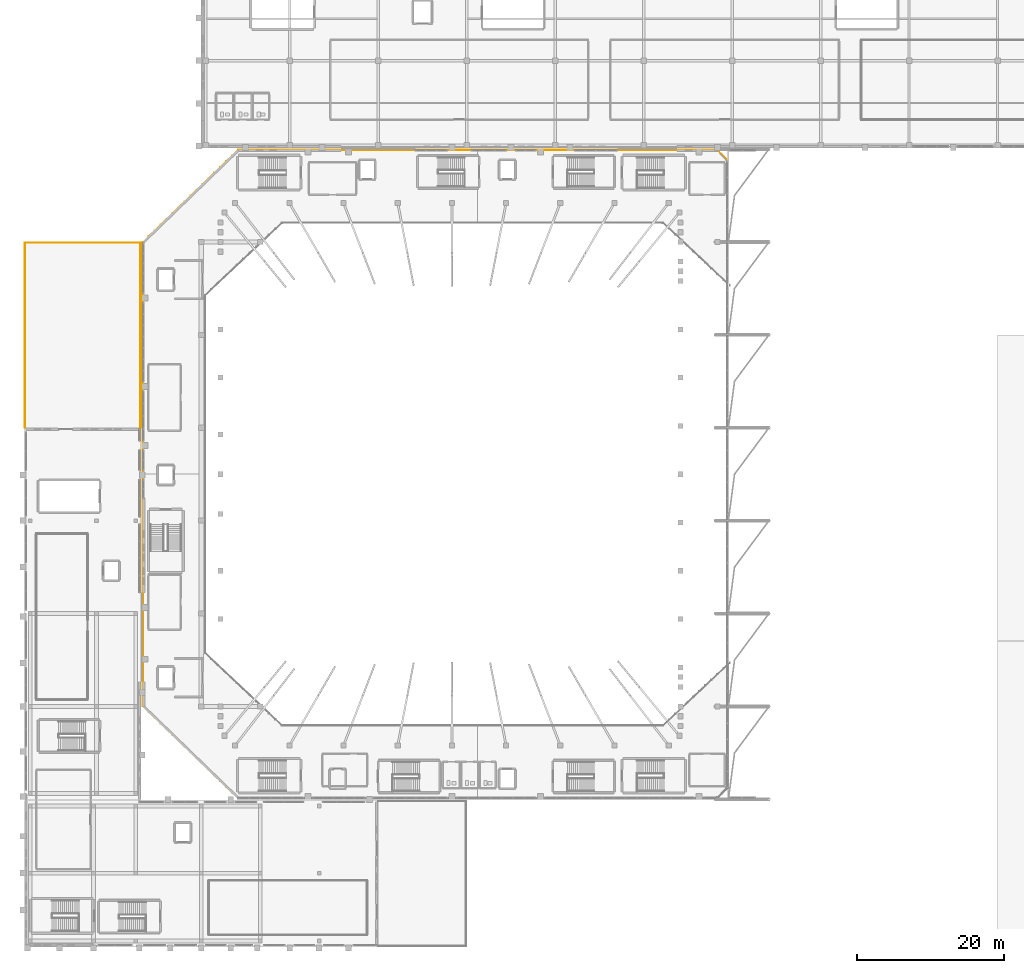
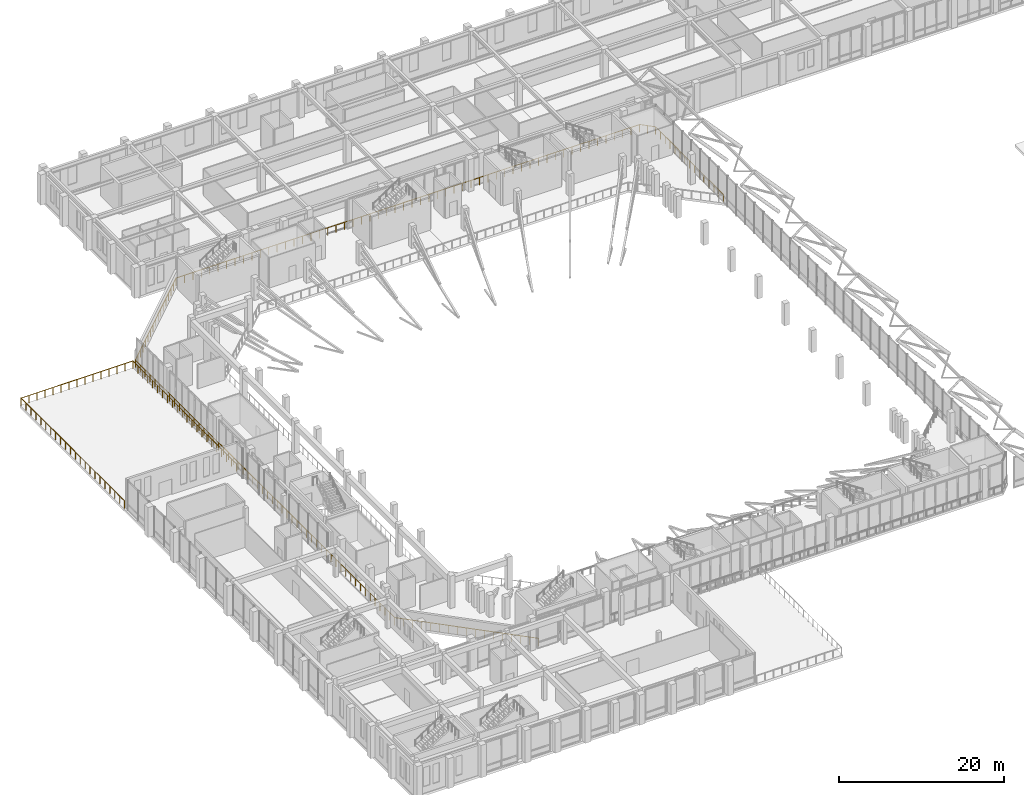
# One storey, part 75 of 79: 2 railings.
"""IFC4 building model written with IfcOpenShell, lengths in metres."""

from ifc_helpers import new_model, si_unit, derived_unit, direction, frame, origin, origin_2d, place, context, subcontext, project, spatial, circle, extrude, material, type_object, element, save


model = new_model("IFC4")

# Units and contexts
model_context = context("Model", 3, precision=1e-05, world=origin(), true_north=direction((0.0, 1.0)))
body_context = subcontext(model_context, "Body", "Model", "MODEL_VIEW")
ifc_project = project(units=[si_unit("LENGTHUNIT", "METRE"), si_unit("AREAUNIT", "SQUARE_METRE"), si_unit("VOLUMEUNIT", "CUBIC_METRE"), si_unit("PLANEANGLEUNIT", "RADIAN"), si_unit("MASSUNIT", "GRAM", prefix="KILO"), derived_unit("THERMALTRANSMITTANCEUNIT", [(si_unit("MASSUNIT", "GRAM", prefix="KILO"), 1), (si_unit("TIMEUNIT", "SECOND"), -3), (si_unit("THERMODYNAMICTEMPERATUREUNIT", "KELVIN"), -1)])], contexts=[model_context])

# Site, building, storey
site_placement = place(None, origin())
site = spatial("IfcSite", under=ifc_project, at=site_placement, CompositionType="ELEMENT")
building_placement = place(site_placement, origin())
building = spatial("IfcBuilding", under=site, at=building_placement, Name="Valcora Ridge Arena", CompositionType="ELEMENT")
storey_placement = place(building_placement, frame((0.0, 0.0, 16.199951171875)))
storey = spatial("IfcBuildingStorey", under=building, at=storey_placement, Name="L03", CompositionType="ELEMENT", Elevation=16.199951171875)

# Railings
ifc_material = material(Name="Galvanized painted steel ASTM A500 Grade B", Category="steel")
railing_type_1 = type_object("IfcRailingType", Name="TY-RAILING-GRD-TERR-1120", PredefinedType="GUARDRAIL", material=ifc_material)
railing_1_placement = place(storey_placement, frame((0.10009765625, 70.39990234375, 0.0)))
element("IfcRailing", 1, at=railing_1_placement, inside=storey, type_object=railing_type_1, Name="GRD-TERR-1120 RAL-TR-0002", PredefinedType="GUARDRAIL", context=body_context, shape_type="SweptSolid", body=[
    extrude(circle(Radius=0.02392578125, at=origin_2d()), frame((0.0, 0.0, 1.09619140625), z_axis=(0.0, 1.0, 0.0), x_axis=(-1.0, 0.0, 0.0)), (0.0, 0.0, 1.0), 25.10009765625),
    extrude(circle(Radius=0.02392578125, at=origin_2d()), frame((0.0, 25.10009765625, 1.09619140625), z_axis=(1.0, 0.0, 0.0), x_axis=(0.0, 1.0, 0.0)), (0.0, 0.0, 1.0), 15.64990234375),
    extrude(circle(Radius=0.02392578125, at=origin_2d()), frame((15.64990234375, 25.10009765625, 1.09619140625), z_axis=(0.0, -1.0, 0.0), x_axis=(1.0, 0.0, 0.0)), (0.0, 0.0, 1.0), 25.10009765625),
    extrude(circle(Radius=0.02099609375, at=origin_2d()), origin(), (0.0, 0.0, 1.0), 1.072021484375),
    extrude(circle(Radius=0.02099609375, at=origin_2d()), frame((0.0, 1.1953125, 0.0)), (0.0, 0.0, 1.0), 1.072021484375),
    extrude(circle(Radius=0.02099609375, at=origin_2d()), frame((0.0, 2.390380859375, 0.0)), (0.0, 0.0, 1.0), 1.072021484375),
    extrude(circle(Radius=0.02099609375, at=origin_2d()), frame((0.0, 3.585693359375, 0.0)), (0.0, 0.0, 1.0), 1.072021484375),
    extrude(circle(Radius=0.02099609375, at=origin_2d()), frame((0.0, 4.781005859375, 0.0)), (0.0, 0.0, 1.0), 1.072021484375),
    extrude(circle(Radius=0.02099609375, at=origin_2d()), frame((0.0, 5.976318359375, 0.0)), (0.0, 0.0, 1.0), 1.072021484375),
    extrude(circle(Radius=0.02099609375, at=origin_2d()), frame((0.0, 7.17138671875, 0.0)), (0.0, 0.0, 1.0), 1.072021484375),
    extrude(circle(Radius=0.02099609375, at=origin_2d()), frame((0.0, 8.36669921875, 0.0)), (0.0, 0.0, 1.0), 1.072021484375),
    extrude(circle(Radius=0.02099609375, at=origin_2d()), frame((0.0, 9.56201171875, 0.0)), (0.0, 0.0, 1.0), 1.072021484375),
    extrude(circle(Radius=0.02099609375, at=origin_2d()), frame((0.0, 10.757080078125, 0.0)), (0.0, 0.0, 1.0), 1.072021484375),
    extrude(circle(Radius=0.02099609375, at=origin_2d()), frame((0.0, 11.952392578125, 0.0)), (0.0, 0.0, 1.0), 1.072021484375),
    extrude(circle(Radius=0.02099609375, at=origin_2d()), frame((0.0, 13.147705078125, 0.0)), (0.0, 0.0, 1.0), 1.072021484375),
    extrude(circle(Radius=0.02099609375, at=origin_2d()), frame((0.0, 14.343017578125, 0.0)), (0.0, 0.0, 1.0), 1.072021484375),
    extrude(circle(Radius=0.02099609375, at=origin_2d()), frame((0.0, 15.5380859375, 0.0)), (0.0, 0.0, 1.0), 1.072021484375),
    extrude(circle(Radius=0.02099609375, at=origin_2d()), frame((0.0, 16.7333984375, 0.0)), (0.0, 0.0, 1.0), 1.072021484375),
    extrude(circle(Radius=0.02099609375, at=origin_2d()), frame((0.0, 17.9287109375, 0.0)), (0.0, 0.0, 1.0), 1.072021484375),
    extrude(circle(Radius=0.02099609375, at=origin_2d()), frame((0.0, 19.123779296875, 0.0)), (0.0, 0.0, 1.0), 1.072021484375),
    extrude(circle(Radius=0.02099609375, at=origin_2d()), frame((0.0, 20.319091796875, 0.0)), (0.0, 0.0, 1.0), 1.072021484375),
    extrude(circle(Radius=0.02099609375, at=origin_2d()), frame((0.0, 21.514404296875, 0.0)), (0.0, 0.0, 1.0), 1.072021484375),
    extrude(circle(Radius=0.02099609375, at=origin_2d()), frame((0.0, 22.709716796875, 0.0)), (0.0, 0.0, 1.0), 1.072021484375),
    extrude(circle(Radius=0.02099609375, at=origin_2d()), frame((0.0, 23.90478515625, 0.0)), (0.0, 0.0, 1.0), 1.072021484375),
    extrude(circle(Radius=0.02099609375, at=origin_2d()), frame((0.0, 25.10009765625, 0.0)), (0.0, 0.0, 1.0), 1.072021484375),
    extrude(circle(Radius=0.02099609375, at=origin_2d()), frame((1.117919921875, 25.10009765625, 0.0)), (0.0, 0.0, 1.0), 1.072021484375),
    extrude(circle(Radius=0.02099609375, at=origin_2d()), frame((2.235595703125, 25.10009765625, 0.0)), (0.0, 0.0, 1.0), 1.072021484375),
    extrude(circle(Radius=0.02099609375, at=origin_2d()), frame((3.353515625, 25.10009765625, 0.0)), (0.0, 0.0, 1.0), 1.072021484375),
    extrude(circle(Radius=0.02099609375, at=origin_2d()), frame((4.471435546875, 25.10009765625, 0.0)), (0.0, 0.0, 1.0), 1.072021484375),
    extrude(circle(Radius=0.02099609375, at=origin_2d()), frame((5.58935546875, 25.10009765625, 0.0)), (0.0, 0.0, 1.0), 1.072021484375),
    extrude(circle(Radius=0.02099609375, at=origin_2d()), frame((6.70703125, 25.10009765625, 0.0)), (0.0, 0.0, 1.0), 1.072021484375),
    extrude(circle(Radius=0.02099609375, at=origin_2d()), frame((7.824951171875, 25.10009765625, 0.0)), (0.0, 0.0, 1.0), 1.072021484375),
    extrude(circle(Radius=0.02099609375, at=origin_2d()), frame((8.94287109375, 25.10009765625, 0.0)), (0.0, 0.0, 1.0), 1.072021484375),
    extrude(circle(Radius=0.02099609375, at=origin_2d()), frame((10.060546875, 25.10009765625, 0.0)), (0.0, 0.0, 1.0), 1.072021484375),
    extrude(circle(Radius=0.02099609375, at=origin_2d()), frame((11.178466796875, 25.10009765625, 0.0)), (0.0, 0.0, 1.0), 1.072021484375),
    extrude(circle(Radius=0.02099609375, at=origin_2d()), frame((12.29638671875, 25.10009765625, 0.0)), (0.0, 0.0, 1.0), 1.072021484375),
    extrude(circle(Radius=0.02099609375, at=origin_2d()), frame((13.414306640625, 25.10009765625, 0.0)), (0.0, 0.0, 1.0), 1.072021484375),
    extrude(circle(Radius=0.02099609375, at=origin_2d()), frame((14.531982421875, 25.10009765625, 0.0)), (0.0, 0.0, 1.0), 1.072021484375),
    extrude(circle(Radius=0.02099609375, at=origin_2d()), frame((15.64990234375, 25.10009765625, 0.0)), (0.0, 0.0, 1.0), 1.072021484375),
    extrude(circle(Radius=0.02099609375, at=origin_2d()), frame((15.64990234375, 23.90478515625, 0.0)), (0.0, 0.0, 1.0), 1.072021484375),
    extrude(circle(Radius=0.02099609375, at=origin_2d()), frame((15.64990234375, 22.709716796875, 0.0)), (0.0, 0.0, 1.0), 1.072021484375),
    extrude(circle(Radius=0.02099609375, at=origin_2d()), frame((15.64990234375, 21.514404296875, 0.0)), (0.0, 0.0, 1.0), 1.072021484375),
    extrude(circle(Radius=0.02099609375, at=origin_2d()), frame((15.64990234375, 20.319091796875, 0.0)), (0.0, 0.0, 1.0), 1.072021484375),
    extrude(circle(Radius=0.02099609375, at=origin_2d()), frame((15.64990234375, 19.123779296875, 0.0)), (0.0, 0.0, 1.0), 1.072021484375),
    extrude(circle(Radius=0.02099609375, at=origin_2d()), frame((15.64990234375, 17.9287109375, 0.0)), (0.0, 0.0, 1.0), 1.072021484375),
    extrude(circle(Radius=0.02099609375, at=origin_2d()), frame((15.64990234375, 16.7333984375, 0.0)), (0.0, 0.0, 1.0), 1.072021484375),
    extrude(circle(Radius=0.02099609375, at=origin_2d()), frame((15.64990234375, 15.5380859375, 0.0)), (0.0, 0.0, 1.0), 1.072021484375),
    extrude(circle(Radius=0.02099609375, at=origin_2d()), frame((15.64990234375, 14.343017578125, 0.0)), (0.0, 0.0, 1.0), 1.072021484375),
    extrude(circle(Radius=0.02099609375, at=origin_2d()), frame((15.64990234375, 13.147705078125, 0.0)), (0.0, 0.0, 1.0), 1.072021484375),
    extrude(circle(Radius=0.02099609375, at=origin_2d()), frame((15.64990234375, 11.952392578125, 0.0)), (0.0, 0.0, 1.0), 1.072021484375),
    extrude(circle(Radius=0.02099609375, at=origin_2d()), frame((15.64990234375, 10.757080078125, 0.0)), (0.0, 0.0, 1.0), 1.072021484375),
    extrude(circle(Radius=0.02099609375, at=origin_2d()), frame((15.64990234375, 9.56201171875, 0.0)), (0.0, 0.0, 1.0), 1.072021484375),
    extrude(circle(Radius=0.02099609375, at=origin_2d()), frame((15.64990234375, 8.36669921875, 0.0)), (0.0, 0.0, 1.0), 1.072021484375),
    extrude(circle(Radius=0.02099609375, at=origin_2d()), frame((15.64990234375, 7.17138671875, 0.0)), (0.0, 0.0, 1.0), 1.072021484375),
    extrude(circle(Radius=0.02099609375, at=origin_2d()), frame((15.64990234375, 5.976318359375, 0.0)), (0.0, 0.0, 1.0), 1.072021484375),
    extrude(circle(Radius=0.02099609375, at=origin_2d()), frame((15.64990234375, 4.781005859375, 0.0)), (0.0, 0.0, 1.0), 1.072021484375),
    extrude(circle(Radius=0.02099609375, at=origin_2d()), frame((15.64990234375, 3.585693359375, 0.0)), (0.0, 0.0, 1.0), 1.072021484375),
    extrude(circle(Radius=0.02099609375, at=origin_2d()), frame((15.64990234375, 2.390380859375, 0.0)), (0.0, 0.0, 1.0), 1.072021484375),
    extrude(circle(Radius=0.02099609375, at=origin_2d()), frame((15.64990234375, 1.1953125, 0.0)), (0.0, 0.0, 1.0), 1.072021484375),
    extrude(circle(Radius=0.02099609375, at=origin_2d()), frame((15.64990234375, 0.0, 0.0)), (0.0, 0.0, 1.0), 1.072021484375),
])
railing_type_2 = type_object("IfcRailingType", Name="TY-RAILING-GRD-VOID-1120", PredefinedType="GUARDRAIL", material=ifc_material)
railing_2_placement = place(storey_placement, frame((29.048583984375, 20.1201171875, 0.0)))
element("IfcRailing", 2, at=railing_2_placement, inside=storey, type_object=railing_type_2, Name="GRD-VOID-1120 RAL-DK-0009", PredefinedType="GUARDRAIL", context=body_context, shape_type="SweptSolid", body=[
    extrude(circle(Radius=0.02392578125, at=origin_2d()), frame((0.0, 0.0, 1.09619140625), z_axis=(-0.718065068839, 0.695975974379, 0.0), x_axis=(-0.695975974379, -0.718065068839, 0.0)), (0.0, 0.0, 1.0), 18.004638671875),
    extrude(circle(Radius=0.02392578125, at=origin_2d()), frame((-12.928466796875, 12.53076171875, 1.09619140625), z_axis=(0.0, 1.0, 0.0), x_axis=(-1.0, 0.0, 0.0)), (0.0, 0.0, 1.0), 62.8984375),
    extrude(circle(Radius=0.02392578125, at=origin_2d()), frame((-12.928466796875, 75.42919921875, 1.09619140625), z_axis=(0.718065068839, 0.695975974379, 0.0), x_axis=(-0.695975974379, 0.718065068839, 0.0)), (0.0, 0.0, 1.0), 18.004638671875),
    extrude(circle(Radius=0.02392578125, at=origin_2d()), frame((0.0, 87.9599609375, 1.09619140625), z_axis=(1.0, 0.0, 0.0), x_axis=(0.0, 1.0, 0.0)), (0.0, 0.0, 1.0), 64.90283203125),
    extrude(circle(Radius=0.02392578125, at=origin_2d()), frame((64.90283203125, 87.9599609375, 1.09619140625), z_axis=(0.718004457824, -0.696038503637, 0.0), x_axis=(0.696038503637, 0.718004457824, 0.0)), (0.0, 0.0, 1.0), 1.989501953125),
    extrude(circle(Radius=0.02392578125, at=origin_2d()), frame((66.331298828125, 86.5751953125, 1.09619140625), z_axis=(0.0, -1.0, 0.0), x_axis=(1.0, 0.0, 0.0)), (0.0, 0.0, 1.0), 16.525390625),
    extrude(circle(Radius=0.02099609375, at=origin_2d()), origin(), (0.0, 0.0, 1.0), 1.072021484375),
    extrude(circle(Radius=0.02099609375, at=origin_2d()), frame((-0.80810546875, 0.783203125, 0.0)), (0.0, 0.0, 1.0), 1.072021484375),
    extrude(circle(Radius=0.02099609375, at=origin_2d()), frame((-1.615966796875, 1.56640625, 0.0)), (0.0, 0.0, 1.0), 1.072021484375),
    extrude(circle(Radius=0.02099609375, at=origin_2d()), frame((-2.424072265625, 2.349609375, 0.0)), (0.0, 0.0, 1.0), 1.072021484375),
    extrude(circle(Radius=0.02099609375, at=origin_2d()), frame((-3.232177734375, 3.1328125, 0.0)), (0.0, 0.0, 1.0), 1.072021484375),
    extrude(circle(Radius=0.02099609375, at=origin_2d()), frame((-4.0400390625, 3.915771484375, 0.0)), (0.0, 0.0, 1.0), 1.072021484375),
    extrude(circle(Radius=0.02099609375, at=origin_2d()), frame((-4.84814453125, 4.698974609375, 0.0)), (0.0, 0.0, 1.0), 1.072021484375),
    extrude(circle(Radius=0.02099609375, at=origin_2d()), frame((-5.65625, 5.482177734375, 0.0)), (0.0, 0.0, 1.0), 1.072021484375),
    extrude(circle(Radius=0.02099609375, at=origin_2d()), frame((-6.46435546875, 6.265380859375, 0.0)), (0.0, 0.0, 1.0), 1.072021484375),
    extrude(circle(Radius=0.02099609375, at=origin_2d()), frame((-7.272216796875, 7.048583984375, 0.0)), (0.0, 0.0, 1.0), 1.072021484375),
    extrude(circle(Radius=0.02099609375, at=origin_2d()), frame((-8.080322265625, 7.831787109375, 0.0)), (0.0, 0.0, 1.0), 1.072021484375),
    extrude(circle(Radius=0.02099609375, at=origin_2d()), frame((-8.888427734375, 8.614990234375, 0.0)), (0.0, 0.0, 1.0), 1.072021484375),
    extrude(circle(Radius=0.02099609375, at=origin_2d()), frame((-9.6962890625, 9.39794921875, 0.0)), (0.0, 0.0, 1.0), 1.072021484375),
    extrude(circle(Radius=0.02099609375, at=origin_2d()), frame((-10.50439453125, 10.18115234375, 0.0)), (0.0, 0.0, 1.0), 1.072021484375),
    extrude(circle(Radius=0.02099609375, at=origin_2d()), frame((-11.3125, 10.96435546875, 0.0)), (0.0, 0.0, 1.0), 1.072021484375),
    extrude(circle(Radius=0.02099609375, at=origin_2d()), frame((-12.120361328125, 11.74755859375, 0.0)), (0.0, 0.0, 1.0), 1.072021484375),
    extrude(circle(Radius=0.02099609375, at=origin_2d()), frame((-12.928466796875, 12.53076171875, 0.0)), (0.0, 0.0, 1.0), 1.072021484375),
    extrude(circle(Radius=0.02099609375, at=origin_2d()), frame((-12.928466796875, 13.717529296875, 0.0)), (0.0, 0.0, 1.0), 1.072021484375),
    extrude(circle(Radius=0.02099609375, at=origin_2d()), frame((-12.928466796875, 14.904296875, 0.0)), (0.0, 0.0, 1.0), 1.072021484375),
    extrude(circle(Radius=0.02099609375, at=origin_2d()), frame((-12.928466796875, 16.091064453125, 0.0)), (0.0, 0.0, 1.0), 1.072021484375),
    extrude(circle(Radius=0.02099609375, at=origin_2d()), frame((-12.928466796875, 17.27783203125, 0.0)), (0.0, 0.0, 1.0), 1.072021484375),
    extrude(circle(Radius=0.02099609375, at=origin_2d()), frame((-12.928466796875, 18.464599609375, 0.0)), (0.0, 0.0, 1.0), 1.072021484375),
    extrude(circle(Radius=0.02099609375, at=origin_2d()), frame((-12.928466796875, 19.6513671875, 0.0)), (0.0, 0.0, 1.0), 1.072021484375),
    extrude(circle(Radius=0.02099609375, at=origin_2d()), frame((-12.928466796875, 20.838134765625, 0.0)), (0.0, 0.0, 1.0), 1.072021484375),
    extrude(circle(Radius=0.02099609375, at=origin_2d()), frame((-12.928466796875, 22.02490234375, 0.0)), (0.0, 0.0, 1.0), 1.072021484375),
    extrude(circle(Radius=0.02099609375, at=origin_2d()), frame((-12.928466796875, 23.211669921875, 0.0)), (0.0, 0.0, 1.0), 1.072021484375),
    extrude(circle(Radius=0.02099609375, at=origin_2d()), frame((-12.928466796875, 24.3984375, 0.0)), (0.0, 0.0, 1.0), 1.072021484375),
    extrude(circle(Radius=0.02099609375, at=origin_2d()), frame((-12.928466796875, 25.585205078125, 0.0)), (0.0, 0.0, 1.0), 1.072021484375),
    extrude(circle(Radius=0.02099609375, at=origin_2d()), frame((-12.928466796875, 26.77197265625, 0.0)), (0.0, 0.0, 1.0), 1.072021484375),
    extrude(circle(Radius=0.02099609375, at=origin_2d()), frame((-12.928466796875, 27.958740234375, 0.0)), (0.0, 0.0, 1.0), 1.072021484375),
    extrude(circle(Radius=0.02099609375, at=origin_2d()), frame((-12.928466796875, 29.1455078125, 0.0)), (0.0, 0.0, 1.0), 1.072021484375),
    extrude(circle(Radius=0.02099609375, at=origin_2d()), frame((-12.928466796875, 30.332275390625, 0.0)), (0.0, 0.0, 1.0), 1.072021484375),
    extrude(circle(Radius=0.02099609375, at=origin_2d()), frame((-12.928466796875, 31.51904296875, 0.0)), (0.0, 0.0, 1.0), 1.072021484375),
    extrude(circle(Radius=0.02099609375, at=origin_2d()), frame((-12.928466796875, 32.705810546875, 0.0)), (0.0, 0.0, 1.0), 1.072021484375),
    extrude(circle(Radius=0.02099609375, at=origin_2d()), frame((-12.928466796875, 33.892578125, 0.0)), (0.0, 0.0, 1.0), 1.072021484375),
    extrude(circle(Radius=0.02099609375, at=origin_2d()), frame((-12.928466796875, 35.079345703125, 0.0)), (0.0, 0.0, 1.0), 1.072021484375),
    extrude(circle(Radius=0.02099609375, at=origin_2d()), frame((-12.928466796875, 36.26611328125, 0.0)), (0.0, 0.0, 1.0), 1.072021484375),
    extrude(circle(Radius=0.02099609375, at=origin_2d()), frame((-12.928466796875, 37.452880859375, 0.0)), (0.0, 0.0, 1.0), 1.072021484375),
    extrude(circle(Radius=0.02099609375, at=origin_2d()), frame((-12.928466796875, 38.6396484375, 0.0)), (0.0, 0.0, 1.0), 1.072021484375),
    extrude(circle(Radius=0.02099609375, at=origin_2d()), frame((-12.928466796875, 39.826416015625, 0.0)), (0.0, 0.0, 1.0), 1.072021484375),
    extrude(circle(Radius=0.02099609375, at=origin_2d()), frame((-12.928466796875, 41.01318359375, 0.0)), (0.0, 0.0, 1.0), 1.072021484375),
    extrude(circle(Radius=0.02099609375, at=origin_2d()), frame((-12.928466796875, 42.199951171875, 0.0)), (0.0, 0.0, 1.0), 1.072021484375),
    extrude(circle(Radius=0.02099609375, at=origin_2d()), frame((-12.928466796875, 43.38671875, 0.0)), (0.0, 0.0, 1.0), 1.072021484375),
    extrude(circle(Radius=0.02099609375, at=origin_2d()), frame((-12.928466796875, 44.5732421875, 0.0)), (0.0, 0.0, 1.0), 1.072021484375),
    extrude(circle(Radius=0.02099609375, at=origin_2d()), frame((-12.928466796875, 45.760009765625, 0.0)), (0.0, 0.0, 1.0), 1.072021484375),
    extrude(circle(Radius=0.02099609375, at=origin_2d()), frame((-12.928466796875, 46.94677734375, 0.0)), (0.0, 0.0, 1.0), 1.072021484375),
    extrude(circle(Radius=0.02099609375, at=origin_2d()), frame((-12.928466796875, 48.133544921875, 0.0)), (0.0, 0.0, 1.0), 1.072021484375),
    extrude(circle(Radius=0.02099609375, at=origin_2d()), frame((-12.928466796875, 49.3203125, 0.0)), (0.0, 0.0, 1.0), 1.072021484375),
    extrude(circle(Radius=0.02099609375, at=origin_2d()), frame((-12.928466796875, 50.507080078125, 0.0)), (0.0, 0.0, 1.0), 1.072021484375),
    extrude(circle(Radius=0.02099609375, at=origin_2d()), frame((-12.928466796875, 51.69384765625, 0.0)), (0.0, 0.0, 1.0), 1.072021484375),
    extrude(circle(Radius=0.02099609375, at=origin_2d()), frame((-12.928466796875, 52.880615234375, 0.0)), (0.0, 0.0, 1.0), 1.072021484375),
    extrude(circle(Radius=0.02099609375, at=origin_2d()), frame((-12.928466796875, 54.0673828125, 0.0)), (0.0, 0.0, 1.0), 1.072021484375),
    extrude(circle(Radius=0.02099609375, at=origin_2d()), frame((-12.928466796875, 55.254150390625, 0.0)), (0.0, 0.0, 1.0), 1.072021484375),
    extrude(circle(Radius=0.02099609375, at=origin_2d()), frame((-12.928466796875, 56.44091796875, 0.0)), (0.0, 0.0, 1.0), 1.072021484375),
    extrude(circle(Radius=0.02099609375, at=origin_2d()), frame((-12.928466796875, 57.627685546875, 0.0)), (0.0, 0.0, 1.0), 1.072021484375),
    extrude(circle(Radius=0.02099609375, at=origin_2d()), frame((-12.928466796875, 58.814453125, 0.0)), (0.0, 0.0, 1.0), 1.072021484375),
    extrude(circle(Radius=0.02099609375, at=origin_2d()), frame((-12.928466796875, 60.001220703125, 0.0)), (0.0, 0.0, 1.0), 1.072021484375),
    extrude(circle(Radius=0.02099609375, at=origin_2d()), frame((-12.928466796875, 61.18798828125, 0.0)), (0.0, 0.0, 1.0), 1.072021484375),
    extrude(circle(Radius=0.02099609375, at=origin_2d()), frame((-12.928466796875, 62.374755859375, 0.0)), (0.0, 0.0, 1.0), 1.072021484375),
    extrude(circle(Radius=0.02099609375, at=origin_2d()), frame((-12.928466796875, 63.5615234375, 0.0)), (0.0, 0.0, 1.0), 1.072021484375),
    extrude(circle(Radius=0.02099609375, at=origin_2d()), frame((-12.928466796875, 64.748291015625, 0.0)), (0.0, 0.0, 1.0), 1.072021484375),
    extrude(circle(Radius=0.02099609375, at=origin_2d()), frame((-12.928466796875, 65.93505859375, 0.0)), (0.0, 0.0, 1.0), 1.072021484375),
    extrude(circle(Radius=0.02099609375, at=origin_2d()), frame((-12.928466796875, 67.121826171875, 0.0)), (0.0, 0.0, 1.0), 1.072021484375),
    extrude(circle(Radius=0.02099609375, at=origin_2d()), frame((-12.928466796875, 68.30859375, 0.0)), (0.0, 0.0, 1.0), 1.072021484375),
    extrude(circle(Radius=0.02099609375, at=origin_2d()), frame((-12.928466796875, 69.495361328125, 0.0)), (0.0, 0.0, 1.0), 1.072021484375),
    extrude(circle(Radius=0.02099609375, at=origin_2d()), frame((-12.928466796875, 70.68212890625, 0.0)), (0.0, 0.0, 1.0), 1.072021484375),
    extrude(circle(Radius=0.02099609375, at=origin_2d()), frame((-12.928466796875, 71.868896484375, 0.0)), (0.0, 0.0, 1.0), 1.072021484375),
    extrude(circle(Radius=0.02099609375, at=origin_2d()), frame((-12.928466796875, 73.0556640625, 0.0)), (0.0, 0.0, 1.0), 1.072021484375),
    extrude(circle(Radius=0.02099609375, at=origin_2d()), frame((-12.928466796875, 74.242431640625, 0.0)), (0.0, 0.0, 1.0), 1.072021484375),
    extrude(circle(Radius=0.02099609375, at=origin_2d()), frame((-12.928466796875, 75.42919921875, 0.0)), (0.0, 0.0, 1.0), 1.072021484375),
    extrude(circle(Radius=0.02099609375, at=origin_2d()), frame((-12.120361328125, 76.21240234375, 0.0)), (0.0, 0.0, 1.0), 1.072021484375),
    extrude(circle(Radius=0.02099609375, at=origin_2d()), frame((-11.3125, 76.99560546875, 0.0)), (0.0, 0.0, 1.0), 1.072021484375),
    extrude(circle(Radius=0.02099609375, at=origin_2d()), frame((-10.50439453125, 77.77880859375, 0.0)), (0.0, 0.0, 1.0), 1.072021484375),
    extrude(circle(Radius=0.02099609375, at=origin_2d()), frame((-9.6962890625, 78.56201171875, 0.0)), (0.0, 0.0, 1.0), 1.072021484375),
    extrude(circle(Radius=0.02099609375, at=origin_2d()), frame((-8.888427734375, 79.344970703125, 0.0)), (0.0, 0.0, 1.0), 1.072021484375),
    extrude(circle(Radius=0.02099609375, at=origin_2d()), frame((-8.080322265625, 80.128173828125, 0.0)), (0.0, 0.0, 1.0), 1.072021484375),
    extrude(circle(Radius=0.02099609375, at=origin_2d()), frame((-7.272216796875, 80.911376953125, 0.0)), (0.0, 0.0, 1.0), 1.072021484375),
    extrude(circle(Radius=0.02099609375, at=origin_2d()), frame((-6.46435546875, 81.694580078125, 0.0)), (0.0, 0.0, 1.0), 1.072021484375),
    extrude(circle(Radius=0.02099609375, at=origin_2d()), frame((-5.65625, 82.477783203125, 0.0)), (0.0, 0.0, 1.0), 1.072021484375),
    extrude(circle(Radius=0.02099609375, at=origin_2d()), frame((-4.84814453125, 83.260986328125, 0.0)), (0.0, 0.0, 1.0), 1.072021484375),
    extrude(circle(Radius=0.02099609375, at=origin_2d()), frame((-4.0400390625, 84.044189453125, 0.0)), (0.0, 0.0, 1.0), 1.072021484375),
    extrude(circle(Radius=0.02099609375, at=origin_2d()), frame((-3.232177734375, 84.8271484375, 0.0)), (0.0, 0.0, 1.0), 1.072021484375),
    extrude(circle(Radius=0.02099609375, at=origin_2d()), frame((-2.424072265625, 85.6103515625, 0.0)), (0.0, 0.0, 1.0), 1.072021484375),
    extrude(circle(Radius=0.02099609375, at=origin_2d()), frame((-1.615966796875, 86.3935546875, 0.0)), (0.0, 0.0, 1.0), 1.072021484375),
    extrude(circle(Radius=0.02099609375, at=origin_2d()), frame((-0.80810546875, 87.1767578125, 0.0)), (0.0, 0.0, 1.0), 1.072021484375),
    extrude(circle(Radius=0.02099609375, at=origin_2d()), frame((0.0, 87.9599609375, 0.0)), (0.0, 0.0, 1.0), 1.072021484375),
    extrude(circle(Radius=0.02099609375, at=origin_2d()), frame((1.179931640625, 87.9599609375, 0.0)), (0.0, 0.0, 1.0), 1.072021484375),
    extrude(circle(Radius=0.02099609375, at=origin_2d()), frame((2.360107421875, 87.9599609375, 0.0)), (0.0, 0.0, 1.0), 1.072021484375),
    extrude(circle(Radius=0.02099609375, at=origin_2d()), frame((3.5400390625, 87.9599609375, 0.0)), (0.0, 0.0, 1.0), 1.072021484375),
    extrude(circle(Radius=0.02099609375, at=origin_2d()), frame((4.72021484375, 87.9599609375, 0.0)), (0.0, 0.0, 1.0), 1.072021484375),
    extrude(circle(Radius=0.02099609375, at=origin_2d()), frame((5.900146484375, 87.9599609375, 0.0)), (0.0, 0.0, 1.0), 1.072021484375),
    extrude(circle(Radius=0.02099609375, at=origin_2d()), frame((7.080322265625, 87.9599609375, 0.0)), (0.0, 0.0, 1.0), 1.072021484375),
    extrude(circle(Radius=0.02099609375, at=origin_2d()), frame((8.26025390625, 87.9599609375, 0.0)), (0.0, 0.0, 1.0), 1.072021484375),
    extrude(circle(Radius=0.02099609375, at=origin_2d()), frame((9.4404296875, 87.9599609375, 0.0)), (0.0, 0.0, 1.0), 1.072021484375),
    extrude(circle(Radius=0.02099609375, at=origin_2d()), frame((10.620361328125, 87.9599609375, 0.0)), (0.0, 0.0, 1.0), 1.072021484375),
    extrude(circle(Radius=0.02099609375, at=origin_2d()), frame((11.800537109375, 87.9599609375, 0.0)), (0.0, 0.0, 1.0), 1.072021484375),
    extrude(circle(Radius=0.02099609375, at=origin_2d()), frame((12.98046875, 87.9599609375, 0.0)), (0.0, 0.0, 1.0), 1.072021484375),
    extrude(circle(Radius=0.02099609375, at=origin_2d()), frame((14.16064453125, 87.9599609375, 0.0)), (0.0, 0.0, 1.0), 1.072021484375),
    extrude(circle(Radius=0.02099609375, at=origin_2d()), frame((15.340576171875, 87.9599609375, 0.0)), (0.0, 0.0, 1.0), 1.072021484375),
    extrude(circle(Radius=0.02099609375, at=origin_2d()), frame((16.520751953125, 87.9599609375, 0.0)), (0.0, 0.0, 1.0), 1.072021484375),
    extrude(circle(Radius=0.02099609375, at=origin_2d()), frame((17.70068359375, 87.9599609375, 0.0)), (0.0, 0.0, 1.0), 1.072021484375),
    extrude(circle(Radius=0.02099609375, at=origin_2d()), frame((18.880859375, 87.9599609375, 0.0)), (0.0, 0.0, 1.0), 1.072021484375),
    extrude(circle(Radius=0.02099609375, at=origin_2d()), frame((20.060791015625, 87.9599609375, 0.0)), (0.0, 0.0, 1.0), 1.072021484375),
    extrude(circle(Radius=0.02099609375, at=origin_2d()), frame((21.240966796875, 87.9599609375, 0.0)), (0.0, 0.0, 1.0), 1.072021484375),
    extrude(circle(Radius=0.02099609375, at=origin_2d()), frame((22.4208984375, 87.9599609375, 0.0)), (0.0, 0.0, 1.0), 1.072021484375),
    extrude(circle(Radius=0.02099609375, at=origin_2d()), frame((23.60107421875, 87.9599609375, 0.0)), (0.0, 0.0, 1.0), 1.072021484375),
    extrude(circle(Radius=0.02099609375, at=origin_2d()), frame((24.781005859375, 87.9599609375, 0.0)), (0.0, 0.0, 1.0), 1.072021484375),
    extrude(circle(Radius=0.02099609375, at=origin_2d()), frame((25.961181640625, 87.9599609375, 0.0)), (0.0, 0.0, 1.0), 1.072021484375),
    extrude(circle(Radius=0.02099609375, at=origin_2d()), frame((27.14111328125, 87.9599609375, 0.0)), (0.0, 0.0, 1.0), 1.072021484375),
    extrude(circle(Radius=0.02099609375, at=origin_2d()), frame((28.3212890625, 87.9599609375, 0.0)), (0.0, 0.0, 1.0), 1.072021484375),
    extrude(circle(Radius=0.02099609375, at=origin_2d()), frame((29.501220703125, 87.9599609375, 0.0)), (0.0, 0.0, 1.0), 1.072021484375),
    extrude(circle(Radius=0.02099609375, at=origin_2d()), frame((30.681396484375, 87.9599609375, 0.0)), (0.0, 0.0, 1.0), 1.072021484375),
    extrude(circle(Radius=0.02099609375, at=origin_2d()), frame((31.861328125, 87.9599609375, 0.0)), (0.0, 0.0, 1.0), 1.072021484375),
    extrude(circle(Radius=0.02099609375, at=origin_2d()), frame((33.04150390625, 87.9599609375, 0.0)), (0.0, 0.0, 1.0), 1.072021484375),
    extrude(circle(Radius=0.02099609375, at=origin_2d()), frame((34.221435546875, 87.9599609375, 0.0)), (0.0, 0.0, 1.0), 1.072021484375),
    extrude(circle(Radius=0.02099609375, at=origin_2d()), frame((35.401611328125, 87.9599609375, 0.0)), (0.0, 0.0, 1.0), 1.072021484375),
    extrude(circle(Radius=0.02099609375, at=origin_2d()), frame((36.58154296875, 87.9599609375, 0.0)), (0.0, 0.0, 1.0), 1.072021484375),
    extrude(circle(Radius=0.02099609375, at=origin_2d()), frame((37.76171875, 87.9599609375, 0.0)), (0.0, 0.0, 1.0), 1.072021484375),
    extrude(circle(Radius=0.02099609375, at=origin_2d()), frame((38.941650390625, 87.9599609375, 0.0)), (0.0, 0.0, 1.0), 1.072021484375),
    extrude(circle(Radius=0.02099609375, at=origin_2d()), frame((40.121826171875, 87.9599609375, 0.0)), (0.0, 0.0, 1.0), 1.072021484375),
    extrude(circle(Radius=0.02099609375, at=origin_2d()), frame((41.3017578125, 87.9599609375, 0.0)), (0.0, 0.0, 1.0), 1.072021484375),
    extrude(circle(Radius=0.02099609375, at=origin_2d()), frame((42.48193359375, 87.9599609375, 0.0)), (0.0, 0.0, 1.0), 1.072021484375),
    extrude(circle(Radius=0.02099609375, at=origin_2d()), frame((43.661865234375, 87.9599609375, 0.0)), (0.0, 0.0, 1.0), 1.072021484375),
    extrude(circle(Radius=0.02099609375, at=origin_2d()), frame((44.842041015625, 87.9599609375, 0.0)), (0.0, 0.0, 1.0), 1.072021484375),
    extrude(circle(Radius=0.02099609375, at=origin_2d()), frame((46.02197265625, 87.9599609375, 0.0)), (0.0, 0.0, 1.0), 1.072021484375),
    extrude(circle(Radius=0.02099609375, at=origin_2d()), frame((47.2021484375, 87.9599609375, 0.0)), (0.0, 0.0, 1.0), 1.072021484375),
    extrude(circle(Radius=0.02099609375, at=origin_2d()), frame((48.382080078125, 87.9599609375, 0.0)), (0.0, 0.0, 1.0), 1.072021484375),
    extrude(circle(Radius=0.02099609375, at=origin_2d()), frame((49.562255859375, 87.9599609375, 0.0)), (0.0, 0.0, 1.0), 1.072021484375),
    extrude(circle(Radius=0.02099609375, at=origin_2d()), frame((50.7421875, 87.9599609375, 0.0)), (0.0, 0.0, 1.0), 1.072021484375),
    extrude(circle(Radius=0.02099609375, at=origin_2d()), frame((51.92236328125, 87.9599609375, 0.0)), (0.0, 0.0, 1.0), 1.072021484375),
    extrude(circle(Radius=0.02099609375, at=origin_2d()), frame((53.102294921875, 87.9599609375, 0.0)), (0.0, 0.0, 1.0), 1.072021484375),
    extrude(circle(Radius=0.02099609375, at=origin_2d()), frame((54.282470703125, 87.9599609375, 0.0)), (0.0, 0.0, 1.0), 1.072021484375),
    extrude(circle(Radius=0.02099609375, at=origin_2d()), frame((55.46240234375, 87.9599609375, 0.0)), (0.0, 0.0, 1.0), 1.072021484375),
    extrude(circle(Radius=0.02099609375, at=origin_2d()), frame((56.642578125, 87.9599609375, 0.0)), (0.0, 0.0, 1.0), 1.072021484375),
    extrude(circle(Radius=0.02099609375, at=origin_2d()), frame((57.822509765625, 87.9599609375, 0.0)), (0.0, 0.0, 1.0), 1.072021484375),
    extrude(circle(Radius=0.02099609375, at=origin_2d()), frame((59.002685546875, 87.9599609375, 0.0)), (0.0, 0.0, 1.0), 1.072021484375),
    extrude(circle(Radius=0.02099609375, at=origin_2d()), frame((60.1826171875, 87.9599609375, 0.0)), (0.0, 0.0, 1.0), 1.072021484375),
    extrude(circle(Radius=0.02099609375, at=origin_2d()), frame((61.36279296875, 87.9599609375, 0.0)), (0.0, 0.0, 1.0), 1.072021484375),
    extrude(circle(Radius=0.02099609375, at=origin_2d()), frame((62.542724609375, 87.9599609375, 0.0)), (0.0, 0.0, 1.0), 1.072021484375),
    extrude(circle(Radius=0.02099609375, at=origin_2d()), frame((63.722900390625, 87.9599609375, 0.0)), (0.0, 0.0, 1.0), 1.072021484375),
    extrude(circle(Radius=0.02099609375, at=origin_2d()), frame((64.90283203125, 87.9599609375, 0.0)), (0.0, 0.0, 1.0), 1.072021484375),
    extrude(circle(Radius=0.02099609375, at=origin_2d()), frame((65.6171875, 87.267578125, 0.0)), (0.0, 0.0, 1.0), 1.072021484375),
    extrude(circle(Radius=0.02099609375, at=origin_2d()), frame((66.331298828125, 86.5751953125, 0.0)), (0.0, 0.0, 1.0), 1.072021484375),
    extrude(circle(Radius=0.02099609375, at=origin_2d()), frame((66.331298828125, 85.394775390625, 0.0)), (0.0, 0.0, 1.0), 1.072021484375),
    extrude(circle(Radius=0.02099609375, at=origin_2d()), frame((66.331298828125, 84.21435546875, 0.0)), (0.0, 0.0, 1.0), 1.072021484375),
    extrude(circle(Radius=0.02099609375, at=origin_2d()), frame((66.331298828125, 83.033935546875, 0.0)), (0.0, 0.0, 1.0), 1.072021484375),
    extrude(circle(Radius=0.02099609375, at=origin_2d()), frame((66.331298828125, 81.853759765625, 0.0)), (0.0, 0.0, 1.0), 1.072021484375),
    extrude(circle(Radius=0.02099609375, at=origin_2d()), frame((66.331298828125, 80.67333984375, 0.0)), (0.0, 0.0, 1.0), 1.072021484375),
    extrude(circle(Radius=0.02099609375, at=origin_2d()), frame((66.331298828125, 79.492919921875, 0.0)), (0.0, 0.0, 1.0), 1.072021484375),
    extrude(circle(Radius=0.02099609375, at=origin_2d()), frame((66.331298828125, 78.3125, 0.0)), (0.0, 0.0, 1.0), 1.072021484375),
    extrude(circle(Radius=0.02099609375, at=origin_2d()), frame((66.331298828125, 77.132080078125, 0.0)), (0.0, 0.0, 1.0), 1.072021484375),
    extrude(circle(Radius=0.02099609375, at=origin_2d()), frame((66.331298828125, 75.95166015625, 0.0)), (0.0, 0.0, 1.0), 1.072021484375),
    extrude(circle(Radius=0.02099609375, at=origin_2d()), frame((66.331298828125, 74.771240234375, 0.0)), (0.0, 0.0, 1.0), 1.072021484375),
    extrude(circle(Radius=0.02099609375, at=origin_2d()), frame((66.331298828125, 73.591064453125, 0.0)), (0.0, 0.0, 1.0), 1.072021484375),
    extrude(circle(Radius=0.02099609375, at=origin_2d()), frame((66.331298828125, 72.41064453125, 0.0)), (0.0, 0.0, 1.0), 1.072021484375),
    extrude(circle(Radius=0.02099609375, at=origin_2d()), frame((66.331298828125, 71.230224609375, 0.0)), (0.0, 0.0, 1.0), 1.072021484375),
    extrude(circle(Radius=0.02099609375, at=origin_2d()), frame((66.331298828125, 70.0498046875, 0.0)), (0.0, 0.0, 1.0), 1.072021484375),
])

save(model, "model.ifc")
